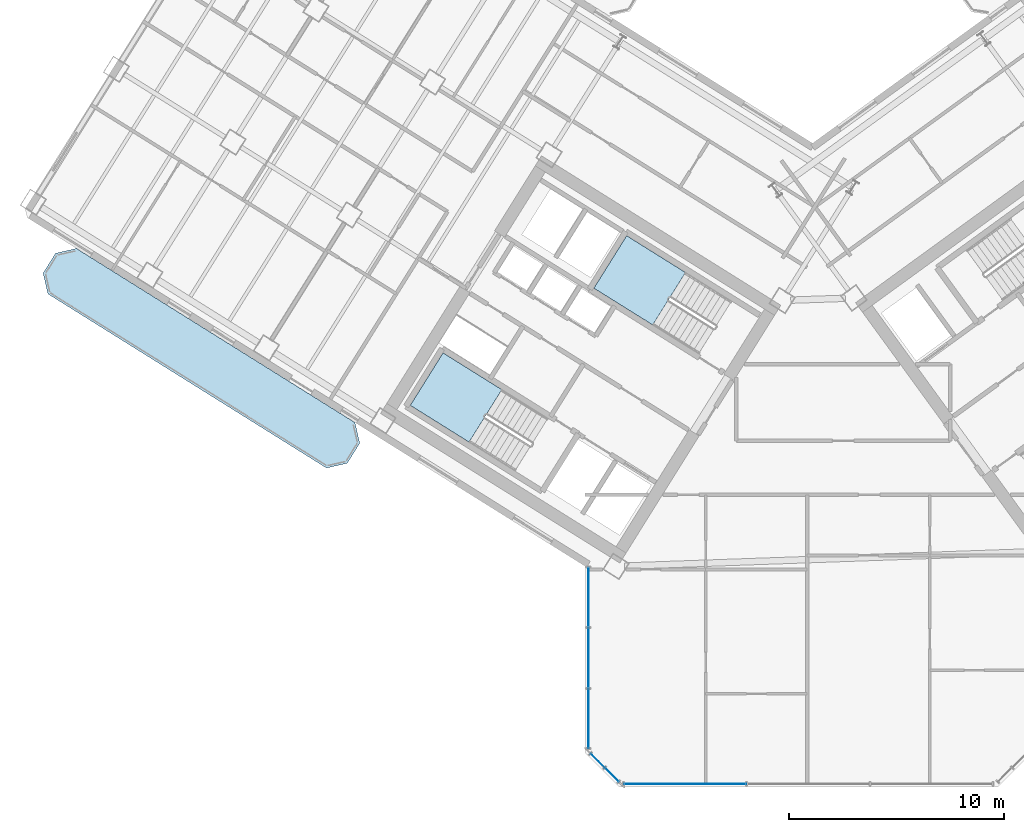
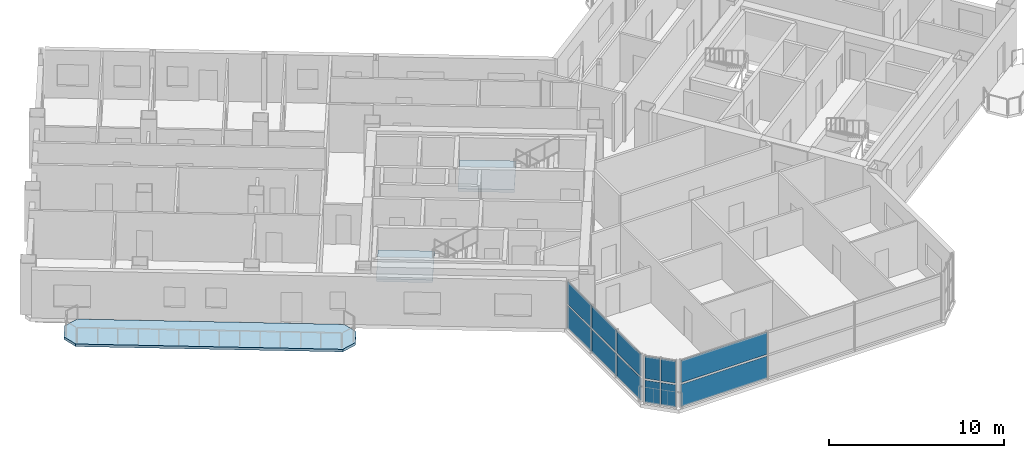
# One storey, part 8 of 20: 12 plates, 3 slabs, 5 elements without a shape of their own.
"""IFC4 building model written with IfcOpenShell, lengths in metres."""

from ifc_helpers import new_model, si_unit, direction, frame, origin, origin_2d, place, context, subcontext, project, spatial, polyline, rectangle, outline, extrude, source, transform, mapped, material, layer, layer_set, type_object, element, aggregate, save


model = new_model("IFC4")

# Units and contexts
model_context = context("Model", 3, precision=1e-05, world=origin(), true_north=direction((0.0, 1.0)))
body_context = subcontext(model_context, "Body", "Model", "MODEL_VIEW")
ifc_project = project(units=[si_unit("LENGTHUNIT", "METRE"), si_unit("AREAUNIT", "SQUARE_METRE"), si_unit("VOLUMEUNIT", "CUBIC_METRE"), si_unit("PLANEANGLEUNIT", "RADIAN"), si_unit("MASSUNIT", "GRAM", prefix="KILO")], contexts=[model_context])

# Site, building, storey
site_placement = place(None, origin())
site = spatial("IfcSite", under=ifc_project, at=site_placement, CompositionType="ELEMENT")
building_placement = place(site_placement, origin())
building = spatial("IfcBuilding", under=site, at=building_placement, Name="Tlacorven Tower", CompositionType="ELEMENT")
storey_placement = place(building_placement, frame((0.0, 0.0, 116.10009765625)))
storey = spatial("IfcBuildingStorey", under=building, at=storey_placement, Name="L29", CompositionType="ELEMENT", Elevation=116.10009765625)

# Slab
ifc_material_1 = material(Name="Precast concrete C45/55", Category="concrete")
ifc_layer_1 = layer(ifc_material_1, 0.179931640625)
ifc_layer_set_1 = layer_set([ifc_layer_1], Name="Precast concrete C45/55")
slab_type_1 = type_object("IfcSlabType", Name="SL-BAL-180", PredefinedType="USERDEFINED", material=ifc_layer_set_1)
slab_1_placement = place(storey_placement, frame((0.0, 0.0, -0.18017578125)))
element("IfcSlab", 1, at=slab_1_placement, inside=storey, type_object=slab_type_1, Name="L29 West Wing Balcony Ribbon OUT", ObjectType="BALCONY SLAB", PredefinedType="USERDEFINED", context=body_context, shape_type="SweptSolid", body=[
    extrude(outline(polyline([(20.88671875, 18.78271484375), (7.91162109375, 26.890625), (6.947021484375, 26.66796875), (6.366943359375, 25.7392578125), (6.589599609375, 24.774658203125), (19.564697265625, 16.6669921875), (20.529296875, 16.8896484375), (21.109375, 17.818115234375), (20.88671875, 18.78271484375)])), origin(), (0.0, 0.0, 1.0), 0.18017578125),
])

# Stair, slab
ifc_material_2 = material(Name="Concrete C40/50", Category="concrete")
stair_type = type_object("IfcStairType", Name="ST-CORE-DLG", PredefinedType="HALF_TURN_STAIR", material=ifc_material_2)
stair_1_placement = place(storey_placement, origin())
stair_1 = element("IfcStair", 2, at=stair_1_placement, inside=storey, type_object=stair_type, Name="L29 Protected Exit Stair West 1", PredefinedType="HALF_TURN_STAIR")
ifc_layer_2 = layer(ifc_material_2, 0.199951171875)
ifc_layer_set_2 = layer_set([ifc_layer_2], Name="Concrete C40/50")
slab_type_2 = type_object("IfcSlabType", Name="SL-LND-200", PredefinedType="LANDING", material=ifc_layer_set_2)
slab_2_placement = place(storey_placement, frame((0.0, 0.0, 1.599853515625)))
slab_2 = element("IfcSlab", 3, at=slab_2_placement, type_object=slab_type_2, Name="ST-W1 landing 1", PredefinedType="LANDING", context=body_context, shape_type="SweptSolid", body=[
    extrude(outline(polyline([(27.728515625, 20.315185546875), (24.9892578125, 22.02685546875), (23.463134765625, 19.58447265625), (26.2021484375, 17.872802734375), (27.728515625, 20.315185546875)])), origin(), (0.0, 0.0, 1.0), 0.199951171875),
])
aggregate(stair_1, [slab_2])

stair_2_placement = place(storey_placement, origin())
stair_2 = element("IfcStair", 4, at=stair_2_placement, inside=storey, type_object=stair_type, Name="L29 Protected Exit Stair West 2", PredefinedType="HALF_TURN_STAIR")
slab_3_placement = place(storey_placement, frame((0.0, 0.0, 1.599853515625)))
slab_3 = element("IfcSlab", 5, at=slab_3_placement, type_object=slab_type_2, Name="ST-W2 landing 1", PredefinedType="LANDING", context=body_context, shape_type="SweptSolid", body=[
    extrude(outline(polyline([(36.280029296875, 25.772705078125), (33.540771484375, 27.484375), (32.0146484375, 25.0419921875), (34.75390625, 23.33056640625), (36.280029296875, 25.772705078125)])), origin(), (0.0, 0.0, 1.0), 0.199951171875),
])
aggregate(stair_2, [slab_3])

# Curtain wall, plates
ifc_material_3 = material(Name="Dark solar low-E double glazing in aluminium frame", Category="aluminium")
curtain_wall_type = type_object("IfcCurtainWallType", Name="CW-TWR-MID", PredefinedType="USERDEFINED", material=ifc_material_3)
curtain_wall_1_placement = place(storey_placement, origin())
curtain_wall_1 = element("IfcCurtainWall", 6, at=curtain_wall_1_placement, inside=storey, type_object=curtain_wall_type, Name="L29 CW-TWR-MID Curtain Wall 145", ObjectType="UNITISED CURTAIN WALL", PredefinedType="USERDEFINED")
ifc_material_4 = material(Name="High-wind dark solar tempered low-E glazing", Category="glass")
ifc_layer_3 = layer(ifc_material_4, 0.028076171875)
ifc_layer_set_3 = layer_set([ifc_layer_3], Name="High-wind dark solar tempered low-E glazing")
plate_type = type_object("IfcPlateType", Name="CWP-03", PredefinedType="CURTAIN_PANEL", material=ifc_layer_set_3)
shared_shape_1 = source(origin(), body_context, "Body", "SweptSolid", [
    extrude(rectangle(XDim=0.885498046875, YDim=0.028076171875, at=origin_2d()), origin(), (0.0, 0.0, 1.0), 1.552978515625),
])
plate_1_placement = place(storey_placement, frame((32.8427734375, 2.38330078125, 0.06103515625), z_axis=(0.0, 0.0, 1.0), x_axis=(-0.707106781187, 0.707106781187, 0.0)))
plate_1 = element("IfcPlate", 7, at=plate_1_placement, type_object=plate_type, Name="CW-L29-145 Glazing Panel 1", PredefinedType="CURTAIN_PANEL", context=body_context, shape_type="MappedRepresentation", body=[
    mapped(shared_shape_1, transform((0.0, 0.0, 0.0), scale=1.0)),
])
plate_2_placement = place(storey_placement, frame((32.8427734375, 2.38330078125, 1.73583984375), z_axis=(0.0, 0.0, 1.0), x_axis=(-0.707106781187, 0.707106781187, 0.0)))
plate_2 = element("IfcPlate", 8, at=plate_2_placement, type_object=plate_type, Name="CW-L29-145 Glazing Panel 2", PredefinedType="CURTAIN_PANEL", context=body_context, shape_type="MappedRepresentation", body=[
    mapped(shared_shape_1, transform((0.0, 0.0, 0.0), scale=1.0)),
])
plate_3_placement = place(storey_placement, frame((32.183349609375, 3.04296875, 0.06103515625), z_axis=(0.0, 0.0, 1.0), x_axis=(-0.707106781187, 0.707106781187, 0.0)))
plate_3 = element("IfcPlate", 9, at=plate_3_placement, type_object=plate_type, Name="CW-L29-145 Glazing Panel 3", PredefinedType="CURTAIN_PANEL", context=body_context, shape_type="MappedRepresentation", body=[
    mapped(shared_shape_1, transform((0.0, 0.0, 0.0), scale=1.0)),
])
plate_4_placement = place(storey_placement, frame((32.183349609375, 3.04296875, 1.73583984375), z_axis=(0.0, 0.0, 1.0), x_axis=(-0.707106781187, 0.707106781187, 0.0)))
plate_4 = element("IfcPlate", 10, at=plate_4_placement, type_object=plate_type, Name="CW-L29-145 Glazing Panel 4", PredefinedType="CURTAIN_PANEL", context=body_context, shape_type="MappedRepresentation", body=[
    mapped(shared_shape_1, transform((0.0, 0.0, 0.0), scale=1.0)),
])
aggregate(curtain_wall_1, [plate_1, plate_2, plate_3, plate_4])

curtain_wall_2_placement = place(storey_placement, origin())
curtain_wall_2 = element("IfcCurtainWall", 11, at=curtain_wall_2_placement, inside=storey, type_object=curtain_wall_type, Name="L29 CW-TWR-MID Curtain Wall 144", ObjectType="UNITISED CURTAIN WALL", PredefinedType="USERDEFINED")
shared_shape_2 = source(origin(), body_context, "Body", "SweptSolid", [
    extrude(rectangle(XDim=5.67626953125, YDim=0.028076171875, at=origin_2d()), origin(), (0.0, 0.0, 1.0), 1.552978515625),
])
plate_5_placement = place(storey_placement, frame((36.260498046875, 1.9599609375, 0.06103515625), z_axis=(0.0, 0.0, 1.0), x_axis=(-1.0, 0.0, 0.0)))
plate_5 = element("IfcPlate", 12, at=plate_5_placement, type_object=plate_type, Name="CW-L29-144 Glazing Panel 5", PredefinedType="CURTAIN_PANEL", context=body_context, shape_type="MappedRepresentation", body=[
    mapped(shared_shape_2, transform((0.0, 0.0, 0.0), scale=1.0)),
])
plate_6_placement = place(storey_placement, frame((36.260498046875, 1.9599609375, 1.73583984375), z_axis=(0.0, 0.0, 1.0), x_axis=(-1.0, 0.0, 0.0)))
plate_6 = element("IfcPlate", 13, at=plate_6_placement, type_object=plate_type, Name="CW-L29-144 Glazing Panel 6", PredefinedType="CURTAIN_PANEL", context=body_context, shape_type="MappedRepresentation", body=[
    mapped(shared_shape_2, transform((0.0, 0.0, 0.0), scale=1.0)),
])
aggregate(curtain_wall_2, [plate_5, plate_6])

curtain_wall_3_placement = place(storey_placement, origin())
curtain_wall_3 = element("IfcCurtainWall", 14, at=curtain_wall_3_placement, inside=storey, type_object=curtain_wall_type, Name="L29 CW-TWR-MID Curtain Wall 146", ObjectType="UNITISED CURTAIN WALL", PredefinedType="USERDEFINED")
shared_shape_3 = source(origin(), body_context, "Body", "SweptSolid", [
    extrude(rectangle(XDim=2.759521484375, YDim=0.028076171875, at=origin_2d()), origin(), (0.0, 0.0, 1.0), 1.552978515625),
])
plate_7_placement = place(storey_placement, frame((31.760009765625, 5.001953125, 0.06103515625), z_axis=(0.0, 0.0, 1.0), x_axis=(0.0, 1.0, 0.0)))
plate_7 = element("IfcPlate", 15, at=plate_7_placement, type_object=plate_type, Name="CW-L29-146 Glazing Panel 1", PredefinedType="CURTAIN_PANEL", context=body_context, shape_type="MappedRepresentation", body=[
    mapped(shared_shape_3, transform((0.0, 0.0, 0.0), scale=1.0)),
])
plate_8_placement = place(storey_placement, frame((31.760009765625, 5.001953125, 1.73583984375), z_axis=(0.0, 0.0, 1.0), x_axis=(0.0, 1.0, 0.0)))
plate_8 = element("IfcPlate", 16, at=plate_8_placement, type_object=plate_type, Name="CW-L29-146 Glazing Panel 2", PredefinedType="CURTAIN_PANEL", context=body_context, shape_type="MappedRepresentation", body=[
    mapped(shared_shape_3, transform((0.0, 0.0, 0.0), scale=1.0)),
])
plate_9_placement = place(storey_placement, frame((31.760009765625, 10.6474609375, 0.06103515625), z_axis=(0.0, 0.0, 1.0), x_axis=(0.0, 1.0, 0.0)))
plate_9 = element("IfcPlate", 17, at=plate_9_placement, type_object=plate_type, Name="CW-L29-146 Glazing Panel 5", PredefinedType="CURTAIN_PANEL", context=body_context, shape_type="MappedRepresentation", body=[
    mapped(shared_shape_3, transform((0.0, 0.0, 0.0), scale=1.0)),
])
plate_10_placement = place(storey_placement, frame((31.760009765625, 10.6474609375, 1.73583984375), z_axis=(0.0, 0.0, 1.0), x_axis=(0.0, 1.0, 0.0)))
plate_10 = element("IfcPlate", 18, at=plate_10_placement, type_object=plate_type, Name="CW-L29-146 Glazing Panel 6", PredefinedType="CURTAIN_PANEL", context=body_context, shape_type="MappedRepresentation", body=[
    mapped(shared_shape_3, transform((0.0, 0.0, 0.0), scale=1.0)),
])
shared_shape_4 = source(origin(), body_context, "Body", "SweptSolid", [
    extrude(rectangle(XDim=2.7919921875, YDim=0.028076171875, at=origin_2d()), origin(), (0.0, 0.0, 1.0), 1.552978515625),
])
plate_11_placement = place(storey_placement, frame((31.760009765625, 7.82470703125, 0.06103515625), z_axis=(0.0, 0.0, 1.0), x_axis=(0.0, 1.0, 0.0)))
plate_11 = element("IfcPlate", 19, at=plate_11_placement, type_object=plate_type, Name="CW-L29-146 Glazing Panel 3", PredefinedType="CURTAIN_PANEL", context=body_context, shape_type="MappedRepresentation", body=[
    mapped(shared_shape_4, transform((0.0, 0.0, 0.0), scale=1.0)),
])
plate_12_placement = place(storey_placement, frame((31.760009765625, 7.82470703125, 1.73583984375), z_axis=(0.0, 0.0, 1.0), x_axis=(0.0, 1.0, 0.0)))
plate_12 = element("IfcPlate", 20, at=plate_12_placement, type_object=plate_type, Name="CW-L29-146 Glazing Panel 4", PredefinedType="CURTAIN_PANEL", context=body_context, shape_type="MappedRepresentation", body=[
    mapped(shared_shape_4, transform((0.0, 0.0, 0.0), scale=1.0)),
])
aggregate(curtain_wall_3, [plate_7, plate_8, plate_11, plate_12, plate_9, plate_10])

save(model, "model.ifc")
